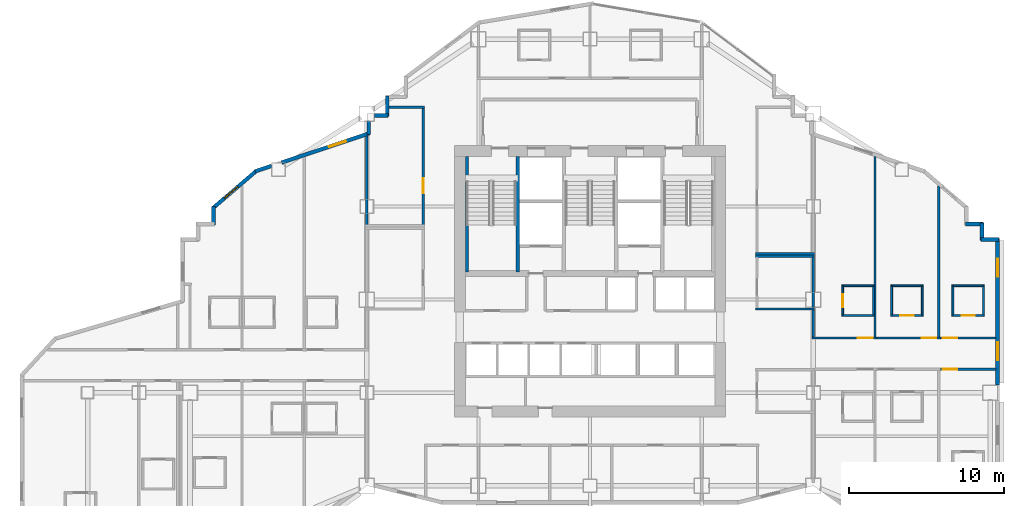
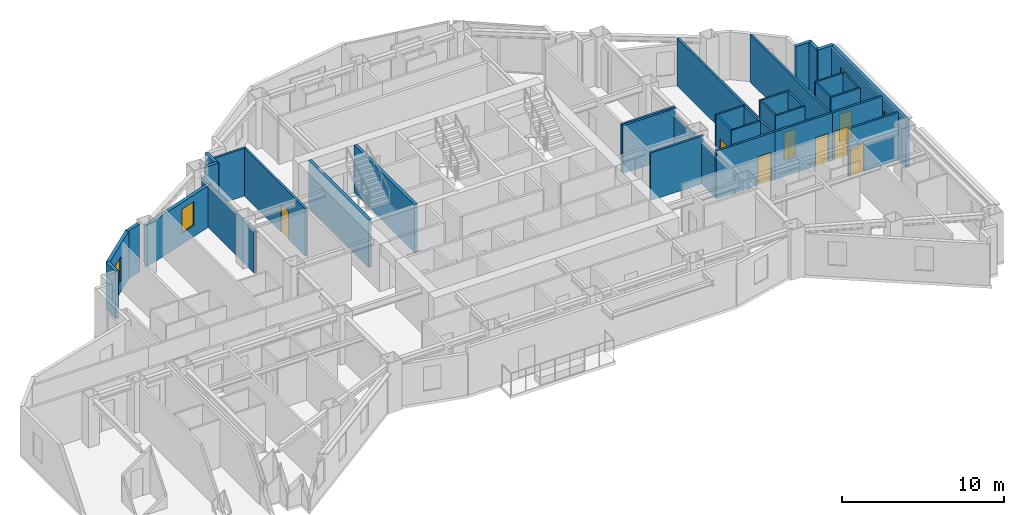
# One storey, part 10 of 16: 39 walls, 8 doors, 4 windows, 12 openings.
"""IFC4 building model written with IfcOpenShell, lengths in metres."""

from ifc_helpers import new_model, si_unit, direction, frame, frame_2d, origin, place, context, subcontext, project, spatial, rectangle, extrude, material, layer, layer_set, type_object, element, fill, save


model = new_model("IFC4")

# Units and contexts
model_context = context("Model", 3, precision=1e-05, world=origin(), true_north=direction((0.0, 1.0)))
body_context = subcontext(model_context, "Body", "Model", "MODEL_VIEW")
ifc_project = project(units=[si_unit("LENGTHUNIT", "METRE"), si_unit("AREAUNIT", "SQUARE_METRE"), si_unit("VOLUMEUNIT", "CUBIC_METRE"), si_unit("PLANEANGLEUNIT", "RADIAN"), si_unit("MASSUNIT", "GRAM", prefix="KILO")], contexts=[model_context])

# Site, building, storey
site_placement = place(None, origin())
site = spatial("IfcSite", under=ifc_project, at=site_placement, CompositionType="ELEMENT")
building_placement = place(site_placement, origin())
building = spatial("IfcBuilding", under=site, at=building_placement, Name="Haolan Belvedere Tower", CompositionType="ELEMENT")
storey_placement = place(building_placement, frame((0.0, 0.0, 125.0)))
storey = spatial("IfcBuildingStorey", under=building, at=storey_placement, Name="L31", CompositionType="ELEMENT", Elevation=125.0)

# Wall, openings, windows
ifc_material_1 = material(Name="Precast concrete C40/50", Category="concrete")
ifc_layer_1 = layer(ifc_material_1, 0.239990234375, Name="Precast concrete C40/50")
ifc_layer_set_1 = layer_set([ifc_layer_1], Name="Precast concrete C40/50")
wall_type_1 = type_object("IfcWallType", Name="WL-EXT-240", PredefinedType="SOLIDWALL", material=ifc_layer_set_1)
wall_1_placement = place(storey_placement, frame((64.679931640625, 28.092041015625, 0.0), z_axis=(0.0, 0.0, 1.0), x_axis=(0.0, 1.0, 0.0)))
wall_1 = element("IfcWall", 1, at=wall_1_placement, inside=storey, type_object=wall_type_1, Name="L31 pale-metal exterior spandrel wall 14.2", PredefinedType="SOLIDWALL", context=body_context, shape_type="SweptSolid", body=[
    extrude(rectangle(XDim=9.44287109375, YDim=0.239990234375, at=frame_2d((4.721435546875, 0.0))), origin(), (0.0, 0.0, 1.0), 3.60009765625),
])
opening_1_placement = place(wall_1_placement, frame((1.60009765625, 0.0, 0.85009765625)))
opening_1 = element("IfcOpeningElement", 2, at=opening_1_placement, cuts=wall_1, Name="Opening W-02", PredefinedType="OPENING", context=body_context, shape_type="SweptSolid", body=[
    extrude(rectangle(XDim=1.14990234375, YDim=1.800048828125, at=frame_2d((0.574951171875, 0.89990234375))), frame((0.0, 0.1298828125, 0.0), z_axis=(0.0, -1.0, 0.0), x_axis=(1.0, 0.0, 0.0)), (0.0, 0.0, 1.0), 0.260009765625),
])
opening_2_placement = place(wall_1_placement, frame((7.0, 0.0, 0.85009765625)))
opening_2 = element("IfcOpeningElement", 3, at=opening_2_placement, cuts=wall_1, Name="Opening W-02", PredefinedType="OPENING", context=body_context, shape_type="SweptSolid", body=[
    extrude(rectangle(XDim=1.14990234375, YDim=1.800048828125, at=frame_2d((0.574951171875, 0.89990234375))), frame((0.0, 0.1298828125, 0.0), z_axis=(0.0, -1.0, 0.0), x_axis=(1.0, 0.0, 0.0)), (0.0, 0.0, 1.0), 0.260009765625),
])
ifc_material_2 = material(Name="Anodised aluminium 6063-T6 and Low-E glass", Category="aluminium")
window_type = type_object("IfcWindowType", Name="WN-DECO-Z2", PartitioningType="SINGLE_PANEL", PredefinedType="WINDOW", material=ifc_material_2)
window_1_placement = place(opening_1_placement, origin())
window_1 = element("IfcWindow", 4, at=window_1_placement, inside=storey, type_object=window_type, Name="L31 Art Deco chevron window 1", OverallHeight=1.800048828125, OverallWidth=1.14990234375, PartitioningType="SINGLE_PANEL", PredefinedType="WINDOW", context=body_context, shape_type="SweptSolid", body=[
    extrude(rectangle(XDim=1.14990234375, YDim=1.800048828125, at=frame_2d((0.574951171875, 0.89990234375))), frame((0.0, 0.030029296875, 0.0), z_axis=(0.0, -1.0, 0.0), x_axis=(1.0, 0.0, 0.0)), (0.0, 0.0, 1.0), 0.06005859375),
])
fill(opening_1, window_1)
window_2_placement = place(opening_2_placement, origin())
window_2 = element("IfcWindow", 5, at=window_2_placement, inside=storey, type_object=window_type, Name="L31 Art Deco chevron window 2", OverallHeight=1.800048828125, OverallWidth=1.14990234375, PartitioningType="SINGLE_PANEL", PredefinedType="WINDOW", context=body_context, shape_type="SweptSolid", body=[
    extrude(rectangle(XDim=1.14990234375, YDim=1.800048828125, at=frame_2d((0.574951171875, 0.89990234375))), frame((0.0, 0.030029296875, 0.0), z_axis=(0.0, -1.0, 0.0), x_axis=(1.0, 0.0, 0.0)), (0.0, 0.0, 1.0), 0.06005859375),
])
fill(opening_2, window_2)

# Walls
wall_2_placement = place(storey_placement, frame((64.735107421875, 37.47998046875, 0.0), z_axis=(0.0, 0.0, 1.0), x_axis=(-1.0, 0.0, 0.0)))
element("IfcWall", 6, at=wall_2_placement, inside=storey, type_object=wall_type_1, Name="L31 pale-metal exterior spandrel wall 15.1", PredefinedType="SOLIDWALL", context=body_context, shape_type="SweptSolid", body=[
    extrude(rectangle(XDim=1.110107421875, YDim=0.239990234375, at=frame_2d((0.55517578125, 0.0))), origin(), (0.0, 0.0, 1.0), 3.60009765625),
])
wall_3_placement = place(storey_placement, frame((63.679931640625, 37.425048828125, 0.0), z_axis=(0.0, 0.0, 1.0), x_axis=(0.0, 1.0, 0.0)))
element("IfcWall", 7, at=wall_3_placement, inside=storey, type_object=wall_type_1, Name="L31 pale-metal exterior spandrel wall 16.1", PredefinedType="SOLIDWALL", context=body_context, shape_type="SweptSolid", body=[
    extrude(rectangle(XDim=1.10986328125, YDim=0.239990234375, at=frame_2d((0.554931640625, 0.0))), origin(), (0.0, 0.0, 1.0), 3.60009765625),
])
wall_4_placement = place(storey_placement, frame((63.735107421875, 38.47998046875, 0.0), z_axis=(0.0, 0.0, 1.0), x_axis=(-1.0, 0.0, 0.0)))
element("IfcWall", 8, at=wall_4_placement, inside=storey, type_object=wall_type_1, Name="L31 pale-metal exterior spandrel wall 17.1", PredefinedType="SOLIDWALL", context=body_context, shape_type="SweptSolid", body=[
    extrude(rectangle(XDim=1.110107421875, YDim=0.239990234375, at=frame_2d((0.55517578125, 0.0))), origin(), (0.0, 0.0, 1.0), 3.60009765625),
])
wall_5_placement = place(storey_placement, frame((25.320068359375, 46.735107421875, 0.0), z_axis=(0.0, 0.0, 1.0), x_axis=(0.0, -1.0, 0.0)))
element("IfcWall", 9, at=wall_5_placement, inside=storey, type_object=wall_type_1, Name="L31 pale-metal exterior spandrel wall 32.1", PredefinedType="SOLIDWALL", context=body_context, shape_type="SweptSolid", body=[
    extrude(rectangle(XDim=1.31005859375, YDim=0.239990234375, at=frame_2d((0.655029296875, 0.0))), origin(), (0.0, 0.0, 1.0), 3.60009765625),
])
wall_6_placement = place(storey_placement, frame((25.375, 45.47998046875, 0.0), z_axis=(0.0, 0.0, 1.0), x_axis=(-1.0, 0.0, 0.0)))
element("IfcWall", 10, at=wall_6_placement, inside=storey, type_object=wall_type_1, Name="L31 pale-metal exterior spandrel wall 33.1", PredefinedType="SOLIDWALL", context=body_context, shape_type="SweptSolid", body=[
    extrude(rectangle(XDim=0.883056640625, YDim=0.239990234375, at=frame_2d((0.44140625, 0.0))), origin(), (0.0, 0.0, 1.0), 3.60009765625),
])
wall_7_placement = place(storey_placement, frame((24.1201171875, 45.10791015625, 0.0), z_axis=(0.0, 0.0, 1.0), x_axis=(0.0, -1.0, 0.0)))
element("IfcWall", 11, at=wall_7_placement, inside=storey, type_object=wall_type_1, Name="L31 pale-metal exterior spandrel wall 34.1", PredefinedType="SOLIDWALL", context=body_context, shape_type="SweptSolid", body=[
    extrude(rectangle(XDim=0.849365234375, YDim=0.239990234375, at=frame_2d((0.4248046875, 0.0))), origin(), (0.0, 0.0, 1.0), 3.14501953125),
])

# Wall, opening, window
wall_8_placement = place(storey_placement, frame((24.172119140625, 44.330810546875, 0.0), z_axis=(0.0, 0.0, 1.0), x_axis=(-0.948683298051, -0.316227766017, 0.0)))
wall_8 = element("IfcWall", 12, at=wall_8_placement, inside=storey, type_object=wall_type_1, Name="L31 pale-metal exterior spandrel wall 35.1", PredefinedType="SOLIDWALL", context=body_context, shape_type="SweptSolid", body=[
    extrude(rectangle(XDim=5.973388671875, YDim=0.239990234375, at=frame_2d((2.98681640625, 0.0))), origin(), (0.0, 0.0, 1.0), 3.14501953125),
])
opening_3_placement = place(wall_8_placement, frame((1.60009765625, 0.0, 0.85009765625)))
opening_3 = element("IfcOpeningElement", 13, at=opening_3_placement, cuts=wall_8, Name="Opening W-02", PredefinedType="OPENING", context=body_context, shape_type="SweptSolid", body=[
    extrude(rectangle(XDim=1.14990234375, YDim=1.800048828125, at=frame_2d((0.574951171875, 0.89990234375))), frame((0.0, 0.1298828125, 0.0), z_axis=(0.0, -1.0, 0.0), x_axis=(1.0, 0.0, 0.0)), (0.0, 0.0, 1.0), 0.260009765625),
])
window_3_placement = place(opening_3_placement, origin())
window_3 = element("IfcWindow", 14, at=window_3_placement, inside=storey, type_object=window_type, Name="L31 Art Deco chevron window 1", OverallHeight=1.800048828125, OverallWidth=1.14990234375, PartitioningType="SINGLE_PANEL", PredefinedType="WINDOW", context=body_context, shape_type="SweptSolid", body=[
    extrude(rectangle(XDim=1.14990234375, YDim=1.800048828125, at=frame_2d((0.574951171875, 0.89990234375))), frame((0.0, 0.030029296875, 0.0), z_axis=(0.0, -1.0, 0.0), x_axis=(1.0, 0.0, 0.0)), (0.0, 0.0, 1.0), 0.06005859375),
])
fill(opening_3, window_3)

# Wall
wall_9_placement = place(storey_placement, frame((17.85791015625, 42.226318359375, 0.0), z_axis=(0.0, 0.0, 1.0), x_axis=(-0.948639166064, -0.316360131194, 0.0)))
element("IfcWall", 15, at=wall_9_placement, inside=storey, type_object=wall_type_1, Name="L31 pale-metal exterior spandrel wall 35.2", PredefinedType="SOLIDWALL", context=body_context, shape_type="SweptSolid", body=[
    extrude(rectangle(XDim=1.106689453125, YDim=0.239990234375, at=frame_2d((0.55322265625, 0.0))), origin(), (0.0, 0.0, 1.0), 3.60009765625),
])

# Wall, opening, window
wall_10_placement = place(storey_placement, frame((16.902099609375, 41.929443359375, 0.0), z_axis=(0.0, 0.0, 1.0), x_axis=(-0.759275136126, -0.650769750112, 0.0)))
wall_10 = element("IfcWall", 16, at=wall_10_placement, inside=storey, type_object=wall_type_1, Name="L31 pale-metal exterior spandrel wall 36.1", PredefinedType="SOLIDWALL", context=body_context, shape_type="SweptSolid", body=[
    extrude(rectangle(XDim=3.71923828125, YDim=0.239990234375, at=frame_2d((1.859619140625, 0.0))), origin(), (0.0, 0.0, 1.0), 3.60009765625),
])
opening_4_placement = place(wall_10_placement, frame((1.60009765625, 0.0, 0.85009765625)))
opening_4 = element("IfcOpeningElement", 17, at=opening_4_placement, cuts=wall_10, Name="Opening W-02", PredefinedType="OPENING", context=body_context, shape_type="SweptSolid", body=[
    extrude(rectangle(XDim=1.14990234375, YDim=1.800048828125, at=frame_2d((0.574951171875, 0.89990234375))), frame((0.0, 0.1298828125, 0.0), z_axis=(0.0, -1.0, 0.0), x_axis=(1.0, 0.0, 0.0)), (0.0, 0.0, 1.0), 0.260009765625),
])
window_4_placement = place(opening_4_placement, origin())
window_4 = element("IfcWindow", 18, at=window_4_placement, inside=storey, type_object=window_type, Name="L31 Art Deco chevron window 1", OverallHeight=1.800048828125, OverallWidth=1.14990234375, PartitioningType="SINGLE_PANEL", PredefinedType="WINDOW", context=body_context, shape_type="SweptSolid", body=[
    extrude(rectangle(XDim=1.14990234375, YDim=1.800048828125, at=frame_2d((0.574951171875, 0.89990234375))), frame((0.0, 0.030029296875, 0.0), z_axis=(0.0, -1.0, 0.0), x_axis=(1.0, 0.0, 0.0)), (0.0, 0.0, 1.0), 0.06005859375),
])
fill(opening_4, window_4)

# Walls
wall_11_placement = place(storey_placement, frame((14.1201171875, 39.599853515625, 0.0), z_axis=(0.0, 0.0, 1.0), x_axis=(0.0, -1.0, 0.0)))
element("IfcWall", 19, at=wall_11_placement, inside=storey, type_object=wall_type_1, Name="L31 pale-metal exterior spandrel wall 37.1", PredefinedType="SOLIDWALL", context=body_context, shape_type="SweptSolid", body=[
    extrude(rectangle(XDim=1.1748046875, YDim=0.239990234375, at=frame_2d((0.58740234375, 0.0))), origin(), (0.0, 0.0, 1.0), 3.60009765625),
])
ifc_material_3 = material(Name="Double gypsum acoustic stud partition", Category="masonry")
ifc_layer_2 = layer(ifc_material_3, 0.14990234375, Name="Double gypsum acoustic stud partition")
ifc_layer_set_2 = layer_set([ifc_layer_2], Name="Double gypsum acoustic stud partition")
wall_type_2 = type_object("IfcWallType", Name="WL-PART-150", PredefinedType="PARTITIONING", material=ifc_layer_set_2)
wall_12_placement = place(storey_placement, frame((25.425048828125, 46.02001953125, 0.0), z_axis=(0.0, 0.0, 1.0), x_axis=(1.0, 0.0, 0.0)))
element("IfcWall", 20, at=wall_12_placement, inside=storey, type_object=wall_type_2, Name="L31 interior partition IW-L31-VLT-N", PredefinedType="PARTITIONING", context=body_context, shape_type="SweptSolid", body=[
    extrude(rectangle(XDim=2.294921875, YDim=0.14990234375, at=frame_2d((1.1474609375, 0.0))), origin(), (0.0, 0.0, 1.0), 3.60009765625),
])
wall_13_placement = place(storey_placement, frame((24.0, 38.419921875, 0.0), z_axis=(0.0, 0.0, 1.0), x_axis=(0.0, 1.0, 0.0)))
element("IfcWall", 21, at=wall_13_placement, inside=storey, type_object=wall_type_2, Name="L31 interior partition IW-L31-VLT-W", PredefinedType="PARTITIONING", context=body_context, shape_type="SweptSolid", body=[
    extrude(rectangle(XDim=5.742919921875, YDim=0.14990234375, at=frame_2d((2.87158203125, 0.0))), origin(), (0.0, 0.0, 1.0), 3.14501953125),
])

# Wall, opening, door
wall_14_placement = place(storey_placement, frame((27.639892578125, 38.419921875, 0.0), z_axis=(0.0, 0.0, 1.0), x_axis=(0.0, 1.0, 0.0)))
wall_14 = element("IfcWall", 22, at=wall_14_placement, inside=storey, type_object=wall_type_2, Name="L31 interior partition IW-L31-VLT-E", PredefinedType="PARTITIONING", context=body_context, shape_type="SweptSolid", body=[
    extrude(rectangle(XDim=7.5400390625, YDim=0.14990234375, at=frame_2d((3.77001953125, 0.0))), origin(), (0.0, 0.0, 1.0), 3.60009765625),
])
opening_5_placement = place(wall_14_placement, frame((3.010009765625, 0.0, 0.0), z_axis=(0.0, 0.0, 1.0), x_axis=(-1.0, 0.0, 0.0)))
opening_5 = element("IfcOpeningElement", 23, at=opening_5_placement, cuts=wall_14, Name="Opening ID-03", PredefinedType="OPENING", context=body_context, shape_type="SweptSolid", body=[
    extrude(rectangle(XDim=0.949951171875, YDim=2.1201171875, at=frame_2d((0.47509765625, 1.06005859375))), frame((0.0, 0.0849609375, 0.0), z_axis=(0.0, -1.0, 0.0), x_axis=(1.0, 0.0, 0.0)), (0.0, 0.0, 1.0), 0.169921875),
])
ifc_material_4 = material(Name="Painted solid-core timber", Category="wood")
door_type_1 = type_object("IfcDoorType", Name="DR-INT-950", OperationType="NOTDEFINED", PredefinedType="DOOR", material=ifc_material_4)
door_1_placement = place(opening_5_placement, origin())
door_1 = element("IfcDoor", 24, at=door_1_placement, inside=storey, type_object=door_type_1, Name="L31 door ID-L31-VLT", OperationType="SINGLE_SWING_RIGHT", OverallHeight=2.1201171875, OverallWidth=0.949951171875, PredefinedType="DOOR", context=body_context, shape_type="SweptSolid", body=[
    extrude(rectangle(XDim=0.949951171875, YDim=2.1201171875, at=frame_2d((0.47509765625, 1.06005859375))), frame((0.0, 0.02490234375, 0.0), z_axis=(0.0, -1.0, 0.0), x_axis=(1.0, 0.0, 0.0)), (0.0, 0.0, 1.0), 0.050048828125),
])
fill(opening_5, door_1)

# Walls
for number, where, z_axis, x_axis, name in (
    (25, (49.080078125, 36.39990234375, 0.0), (0.0, 0.0, 1.0), (1.0, 0.0, 0.0), "L31 interior partition IW-L31-AWC-N"),
    (26, (49.080078125, 33.0, 0.0), (0.0, 0.0, 1.0), (1.0, 0.0, 0.0), "L31 interior partition IW-L31-AWC-S"),
):
    element("IfcWall", number, at=place(storey_placement, frame(where, z_axis=z_axis, x_axis=x_axis)), inside=storey, type_object=wall_type_2, Name=name, PredefinedType="PARTITIONING", context=body_context, shape_type="SweptSolid", body=[
        extrude(rectangle(XDim=3.7998046875, YDim=0.14990234375, at=frame_2d((1.89990234375, 0.0))), origin(), (0.0, 0.0, 1.0), 3.60009765625),
    ])
wall_15_placement = place(storey_placement, frame((52.800048828125, 33.06005859375, 0.0), z_axis=(0.0, 0.0, 1.0), x_axis=(0.0, 1.0, 0.0)))
element("IfcWall", 27, at=wall_15_placement, inside=storey, type_object=wall_type_2, Name="L31 interior partition IW-L31-AWC-E", PredefinedType="PARTITIONING", context=body_context, shape_type="SweptSolid", body=[
    extrude(rectangle(XDim=3.280029296875, YDim=0.14990234375, at=frame_2d((1.64013671875, 0.0))), origin(), (0.0, 0.0, 1.0), 3.14501953125),
])
wall_16_placement = place(storey_placement, frame((49.080078125, 36.56005859375, 0.0), z_axis=(0.0, 0.0, 1.0), x_axis=(1.0, 0.0, 0.0)))
element("IfcWall", 28, at=wall_16_placement, inside=storey, type_object=wall_type_2, Name="L31 interior partition IW-L31-SAL-S", PredefinedType="PARTITIONING", context=body_context, shape_type="SweptSolid", body=[
    extrude(rectangle(XDim=3.7998046875, YDim=0.14990234375, at=frame_2d((1.89990234375, 0.0))), origin(), (0.0, 0.0, 1.0), 3.60009765625),
])

# Wall, opening, door
wall_17_placement = place(storey_placement, frame((52.699951171875, 31.1298828125, 0.0), z_axis=(0.0, 0.0, 1.0), x_axis=(1.0, 0.0, 0.0)))
wall_17 = element("IfcWall", 29, at=wall_17_placement, inside=storey, type_object=wall_type_2, Name="L31 interior partition IW-L31-T4N1-S", PredefinedType="PARTITIONING", context=body_context, shape_type="SweptSolid", body=[
    extrude(rectangle(XDim=4.179931640625, YDim=0.14990234375, at=frame_2d((2.08984375, 0.0))), origin(), (0.0, 0.0, 1.0), 3.60009765625),
])
opening_6_placement = place(wall_17_placement, frame((2.966064453125, 0.0, 0.0)))
opening_6 = element("IfcOpeningElement", 30, at=opening_6_placement, cuts=wall_17, Name="Opening ID-02", PredefinedType="OPENING", context=body_context, shape_type="SweptSolid", body=[
    extrude(rectangle(XDim=0.949951171875, YDim=2.14990234375, at=frame_2d((0.47509765625, 1.074951171875))), frame((0.0, 0.0849609375, 0.0), z_axis=(0.0, -1.0, 0.0), x_axis=(1.0, 0.0, 0.0)), (0.0, 0.0, 1.0), 0.169921875),
])
ifc_material_5 = material(Name="Acoustic oak veneer fire-rated timber", Category="wood")
door_type_2 = type_object("IfcDoorType", Name="DR-GUEST-950", OperationType="NOTDEFINED", PredefinedType="DOOR", material=ifc_material_5)
door_2_placement = place(opening_6_placement, origin())
door_2 = element("IfcDoor", 31, at=door_2_placement, inside=storey, type_object=door_type_2, Name="L31 door ID-L31-T4N1-ENT", OperationType="SINGLE_SWING_RIGHT", OverallHeight=2.14990234375, OverallWidth=0.949951171875, PredefinedType="DOOR", context=body_context, shape_type="SweptSolid", body=[
    extrude(rectangle(XDim=0.949951171875, YDim=2.14990234375, at=frame_2d((0.47509765625, 1.074951171875))), frame((0.0, 0.02490234375, 0.0), z_axis=(0.0, -1.0, 0.0), x_axis=(1.0, 0.0, 0.0)), (0.0, 0.0, 1.0), 0.050048828125),
])
fill(opening_6, door_2)

# Walls
wall_18_placement = place(storey_placement, frame((52.800048828125, 31.18994140625, 0.0), z_axis=(0.0, 0.0, 1.0), x_axis=(0.0, 1.0, 0.0)))
element("IfcWall", 32, at=wall_18_placement, inside=storey, type_object=wall_type_2, Name="L31 interior partition IW-L31-T4N1-W", PredefinedType="PARTITIONING", context=body_context, shape_type="SweptSolid", body=[
    extrude(rectangle(XDim=1.75, YDim=0.14990234375, at=frame_2d((0.875, 0.0))), origin(), (0.0, 0.0, 1.0), 3.14501953125),
])
wall_19_placement = place(storey_placement, frame((56.780029296875, 31.18994140625, 0.0), z_axis=(0.0, 0.0, 1.0), x_axis=(0.0, 1.0, 0.0)))
element("IfcWall", 33, at=wall_19_placement, inside=storey, type_object=wall_type_2, Name="L31 interior partition IW-L31-T4N1-E", PredefinedType="PARTITIONING", context=body_context, shape_type="SweptSolid", body=[
    extrude(rectangle(XDim=11.646240234375, YDim=0.14990234375, at=frame_2d((5.8232421875, 0.0))), origin(), (0.0, 0.0, 1.0), 3.60009765625),
])

# Wall, opening, door
wall_20_placement = place(storey_placement, frame((56.882080078125, 31.1298828125, 0.0), z_axis=(0.0, 0.0, 1.0), x_axis=(1.0, 0.0, 0.0)))
wall_20 = element("IfcWall", 34, at=wall_20_placement, inside=storey, type_object=wall_type_2, Name="L31 interior partition IW-L31-T4N2-S", PredefinedType="PARTITIONING", context=body_context, shape_type="SweptSolid", body=[
    extrude(rectangle(XDim=4.10791015625, YDim=0.14990234375, at=frame_2d((2.053955078125, 0.0))), origin(), (0.0, 0.0, 1.0), 3.60009765625),
])
opening_7_placement = place(wall_20_placement, frame((2.896484375, 0.0, 0.0)))
opening_7 = element("IfcOpeningElement", 35, at=opening_7_placement, cuts=wall_20, Name="Opening ID-02", PredefinedType="OPENING", context=body_context, shape_type="SweptSolid", body=[
    extrude(rectangle(XDim=0.949951171875, YDim=2.14990234375, at=frame_2d((0.47509765625, 1.074951171875))), frame((0.0, 0.0849609375, 0.0), z_axis=(0.0, -1.0, 0.0), x_axis=(1.0, 0.0, 0.0)), (0.0, 0.0, 1.0), 0.169921875),
])
door_3_placement = place(opening_7_placement, origin())
door_3 = element("IfcDoor", 36, at=door_3_placement, inside=storey, type_object=door_type_2, Name="L31 door ID-L31-T4N2-ENT", OperationType="SINGLE_SWING_LEFT", OverallHeight=2.14990234375, OverallWidth=0.949951171875, PredefinedType="DOOR", context=body_context, shape_type="SweptSolid", body=[
    extrude(rectangle(XDim=0.949951171875, YDim=2.14990234375, at=frame_2d((0.47509765625, 1.074951171875))), frame((0.0, 0.02490234375, 0.0), z_axis=(0.0, -1.0, 0.0), x_axis=(1.0, 0.0, 0.0)), (0.0, 0.0, 1.0), 0.050048828125),
])
fill(opening_7, door_3)

# Wall
wall_21_placement = place(storey_placement, frame((60.889892578125, 31.18994140625, 0.0), z_axis=(0.0, 0.0, 1.0), x_axis=(0.0, 1.0, 0.0)))
element("IfcWall", 37, at=wall_21_placement, inside=storey, type_object=wall_type_2, Name="L31 interior partition IW-L31-T4N2-E", PredefinedType="PARTITIONING", context=body_context, shape_type="SweptSolid", body=[
    extrude(rectangle(XDim=9.7509765625, YDim=0.14990234375, at=frame_2d((4.87548828125, 0.0))), origin(), (0.0, 0.0, 1.0), 3.60009765625),
])

# Wall, opening, door
wall_22_placement = place(storey_placement, frame((60.991943359375, 31.1298828125, 0.0), z_axis=(0.0, 0.0, 1.0), x_axis=(1.0, 0.0, 0.0)))
wall_22 = element("IfcWall", 38, at=wall_22_placement, inside=storey, type_object=wall_type_2, Name="L31 interior partition IW-L31-T4N3-S", PredefinedType="PARTITIONING", context=body_context, shape_type="SweptSolid", body=[
    extrude(rectangle(XDim=3.5830078125, YDim=0.14990234375, at=frame_2d((1.79150390625, 0.0))), origin(), (0.0, 0.0, 1.0), 3.60009765625),
])
opening_8_placement = place(wall_22_placement, frame((0.139892578125, 0.0, 0.0)))
opening_8 = element("IfcOpeningElement", 39, at=opening_8_placement, cuts=wall_22, Name="Opening ID-02", PredefinedType="OPENING", context=body_context, shape_type="SweptSolid", body=[
    extrude(rectangle(XDim=0.949951171875, YDim=2.14990234375, at=frame_2d((0.47509765625, 1.074951171875))), frame((0.0, 0.0849609375, 0.0), z_axis=(0.0, -1.0, 0.0), x_axis=(1.0, 0.0, 0.0)), (0.0, 0.0, 1.0), 0.169921875),
])
door_4_placement = place(opening_8_placement, origin())
door_4 = element("IfcDoor", 40, at=door_4_placement, inside=storey, type_object=door_type_2, Name="L31 door ID-L31-T4N3-ENT", OperationType="SINGLE_SWING_RIGHT", OverallHeight=2.14990234375, OverallWidth=0.949951171875, PredefinedType="DOOR", context=body_context, shape_type="SweptSolid", body=[
    extrude(rectangle(XDim=0.949951171875, YDim=2.14990234375, at=frame_2d((0.47509765625, 1.074951171875))), frame((0.0, 0.02490234375, 0.0), z_axis=(0.0, -1.0, 0.0), x_axis=(1.0, 0.0, 0.0)), (0.0, 0.0, 1.0), 0.050048828125),
])
fill(opening_8, door_4)

wall_23_placement = place(storey_placement, frame((60.991943359375, 29.1201171875, 0.0), z_axis=(0.0, 0.0, 1.0), x_axis=(1.0, 0.0, 0.0)))
wall_23 = element("IfcWall", 41, at=wall_23_placement, inside=storey, type_object=wall_type_2, Name="L31 interior partition IW-L31-T4S3-N", PredefinedType="PARTITIONING", context=body_context, shape_type="SweptSolid", body=[
    extrude(rectangle(XDim=3.5830078125, YDim=0.14990234375, at=frame_2d((1.79150390625, 0.0))), origin(), (0.0, 0.0, 1.0), 3.60009765625),
])
opening_9_placement = place(wall_23_placement, frame((1.08984375, 0.0, 0.0), z_axis=(0.0, 0.0, 1.0), x_axis=(-1.0, 0.0, 0.0)))
opening_9 = element("IfcOpeningElement", 42, at=opening_9_placement, cuts=wall_23, Name="Opening ID-02", PredefinedType="OPENING", context=body_context, shape_type="SweptSolid", body=[
    extrude(rectangle(XDim=0.949951171875, YDim=2.14990234375, at=frame_2d((0.47509765625, 1.074951171875))), frame((0.0, 0.0849609375, 0.0), z_axis=(0.0, -1.0, 0.0), x_axis=(1.0, 0.0, 0.0)), (0.0, 0.0, 1.0), 0.169921875),
])
door_5_placement = place(opening_9_placement, origin())
door_5 = element("IfcDoor", 43, at=door_5_placement, inside=storey, type_object=door_type_2, Name="L31 door ID-L31-T4S3-ENT", OperationType="SINGLE_SWING_LEFT", OverallHeight=2.14990234375, OverallWidth=0.949951171875, PredefinedType="DOOR", context=body_context, shape_type="SweptSolid", body=[
    extrude(rectangle(XDim=0.949951171875, YDim=2.14990234375, at=frame_2d((0.47509765625, 1.074951171875))), frame((0.0, 0.02490234375, 0.0), z_axis=(0.0, -1.0, 0.0), x_axis=(1.0, 0.0, 0.0)), (0.0, 0.0, 1.0), 0.050048828125),
])
fill(opening_9, door_5)

# Walls
ifc_material_6 = material(Name="Concrete C50/60", Category="concrete")
ifc_layer_3 = layer(ifc_material_6, 0.219970703125, Name="Concrete C50/60")
ifc_layer_set_3 = layer_set([ifc_layer_3], Name="Concrete C50/60")
wall_type_3 = type_object("IfcWallType", Name="WL-STAIR-220", PredefinedType="SHEAR", material=ifc_layer_set_3)
for number, where, z_axis, x_axis, name in (
    (44, (30.4619140625, 35.389892578125, 0.0), (0.0, 0.0, 1.0), (0.0, 1.0, 0.0), "L31 structural stair core wall ST1W"),
    (45, (33.739990234375, 35.389892578125, 0.0), (0.0, 0.0, 1.0), (0.0, 1.0, 0.0), "L31 structural stair core wall ST1E"),
):
    element("IfcWall", number, at=place(storey_placement, frame(where, z_axis=z_axis, x_axis=x_axis)), inside=storey, type_object=wall_type_3, Name=name, PredefinedType="SHEAR", context=body_context, shape_type="SweptSolid", body=[
        extrude(rectangle(XDim=7.460205078125, YDim=0.219970703125, at=frame_2d((3.72998046875, 0.0))), origin(), (0.0, 0.0, 1.0), 3.60009765625),
    ])
ifc_material_7 = material(Name="Moisture-resistant gypsum tile partition", Category="masonry")
ifc_layer_4 = layer(ifc_material_7, 0.1201171875, Name="Moisture-resistant gypsum tile partition")
ifc_layer_set_4 = layer_set([ifc_layer_4], Name="Moisture-resistant gypsum tile partition")
wall_type_4 = type_object("IfcWallType", Name="WL-WET-120", PredefinedType="PARTITIONING", material=ifc_layer_set_4)
for number, where, z_axis, x_axis, name in (
    (46, (54.639892578125, 34.5, 0.0), (0.0, 0.0, 1.0), (1.0, 0.0, 0.0), "L31 interior partition IW-L31-T4N1-BN"),
    (47, (54.639892578125, 32.580078125, 0.0), (0.0, 0.0, 1.0), (1.0, 0.0, 0.0), "L31 interior partition IW-L31-T4N1-BS"),
):
    element("IfcWall", number, at=place(storey_placement, frame(where, z_axis=z_axis, x_axis=x_axis)), inside=storey, type_object=wall_type_4, Name=name, PredefinedType="PARTITIONING", context=body_context, shape_type="SweptSolid", body=[
        extrude(rectangle(XDim=2.080078125, YDim=0.1201171875, at=frame_2d((1.0400390625, 0.0))), origin(), (0.0, 0.0, 1.0), 3.60009765625),
    ])

# Wall, opening, door
wall_24_placement = place(storey_placement, frame((54.699951171875, 32.625, 0.0), z_axis=(0.0, 0.0, 1.0), x_axis=(0.0, 1.0, 0.0)))
wall_24 = element("IfcWall", 48, at=wall_24_placement, inside=storey, type_object=wall_type_4, Name="L31 interior partition IW-L31-T4N1-BW", PredefinedType="PARTITIONING", context=body_context, shape_type="SweptSolid", body=[
    extrude(rectangle(XDim=1.830078125, YDim=0.1201171875, at=frame_2d((0.9150390625, 0.0))), origin(), (0.0, 0.0, 1.0), 3.60009765625),
])
opening_10_placement = place(wall_24_placement, frame((1.340087890625, 0.0, 0.0), z_axis=(0.0, 0.0, 1.0), x_axis=(-1.0, 0.0, 0.0)))
opening_10 = element("IfcOpeningElement", 49, at=opening_10_placement, cuts=wall_24, Name="Opening ID-05", PredefinedType="OPENING", context=body_context, shape_type="SweptSolid", body=[
    extrude(rectangle(XDim=0.85009765625, YDim=2.10009765625, at=frame_2d((0.425048828125, 1.050048828125))), frame((0.0, 0.070068359375, 0.0), z_axis=(0.0, -1.0, 0.0), x_axis=(1.0, 0.0, 0.0)), (0.0, 0.0, 1.0), 0.14013671875),
])
ifc_material_8 = material(Name="Moisture-resistant lacquered timber", Category="wood")
door_type_3 = type_object("IfcDoorType", Name="DR-BATH-850", OperationType="NOTDEFINED", PredefinedType="DOOR", material=ifc_material_8)
door_6_placement = place(opening_10_placement, origin())
door_6 = element("IfcDoor", 50, at=door_6_placement, inside=storey, type_object=door_type_3, Name="L31 door ID-L31-T4N1-BATH", OperationType="SINGLE_SWING_LEFT", OverallHeight=2.10009765625, OverallWidth=0.85009765625, PredefinedType="DOOR", context=body_context, shape_type="SweptSolid", body=[
    extrude(rectangle(XDim=0.85009765625, YDim=2.10009765625, at=frame_2d((0.425048828125, 1.050048828125))), frame((0.0, 0.02490234375, 0.0), z_axis=(0.0, -1.0, 0.0), x_axis=(1.0, 0.0, 0.0)), (0.0, 0.0, 1.0), 0.050048828125),
])
fill(opening_10, door_6)

# Walls
wall_25_placement = place(storey_placement, frame((56.679931640625, 32.625, 0.0), z_axis=(0.0, 0.0, 1.0), x_axis=(0.0, 1.0, 0.0)))
element("IfcWall", 51, at=wall_25_placement, inside=storey, type_object=wall_type_4, Name="L31 interior partition IW-L31-T4N1-BE", PredefinedType="PARTITIONING", context=body_context, shape_type="SweptSolid", body=[
    extrude(rectangle(XDim=1.830078125, YDim=0.1201171875, at=frame_2d((0.9150390625, 0.0))), origin(), (0.0, 0.0, 1.0), 3.60009765625),
])
wall_26_placement = place(storey_placement, frame((57.784912109375, 34.5, 0.0), z_axis=(0.0, 0.0, 1.0), x_axis=(1.0, 0.0, 0.0)))
element("IfcWall", 52, at=wall_26_placement, inside=storey, type_object=wall_type_4, Name="L31 interior partition IW-L31-T4N2-BN", PredefinedType="PARTITIONING", context=body_context, shape_type="SweptSolid", body=[
    extrude(rectangle(XDim=2.10009765625, YDim=0.1201171875, at=frame_2d((1.050048828125, 0.0))), origin(), (0.0, 0.0, 1.0), 3.60009765625),
])

# Wall, opening, door
wall_27_placement = place(storey_placement, frame((57.784912109375, 32.580078125, 0.0), z_axis=(0.0, 0.0, 1.0), x_axis=(1.0, 0.0, 0.0)))
wall_27 = element("IfcWall", 53, at=wall_27_placement, inside=storey, type_object=wall_type_4, Name="L31 interior partition IW-L31-T4N2-BS", PredefinedType="PARTITIONING", context=body_context, shape_type="SweptSolid", body=[
    extrude(rectangle(XDim=2.10009765625, YDim=0.1201171875, at=frame_2d((1.050048828125, 0.0))), origin(), (0.0, 0.0, 1.0), 3.60009765625),
])
opening_11_placement = place(wall_27_placement, frame((0.625, 0.0, 0.0)))
opening_11 = element("IfcOpeningElement", 54, at=opening_11_placement, cuts=wall_27, Name="Opening ID-05", PredefinedType="OPENING", context=body_context, shape_type="SweptSolid", body=[
    extrude(rectangle(XDim=0.85009765625, YDim=2.10009765625, at=frame_2d((0.425048828125, 1.050048828125))), frame((0.0, 0.070068359375, 0.0), z_axis=(0.0, -1.0, 0.0), x_axis=(1.0, 0.0, 0.0)), (0.0, 0.0, 1.0), 0.14013671875),
])
door_7_placement = place(opening_11_placement, origin())
door_7 = element("IfcDoor", 55, at=door_7_placement, inside=storey, type_object=door_type_3, Name="L31 door ID-L31-T4N2-BATH", OperationType="SINGLE_SWING_RIGHT", OverallHeight=2.10009765625, OverallWidth=0.85009765625, PredefinedType="DOOR", context=body_context, shape_type="SweptSolid", body=[
    extrude(rectangle(XDim=0.85009765625, YDim=2.10009765625, at=frame_2d((0.425048828125, 1.050048828125))), frame((0.0, 0.02490234375, 0.0), z_axis=(0.0, -1.0, 0.0), x_axis=(1.0, 0.0, 0.0)), (0.0, 0.0, 1.0), 0.050048828125),
])
fill(opening_11, door_7)

# Walls
for number, where, z_axis, x_axis, name in (
    (56, (57.844970703125, 32.625, 0.0), (0.0, 0.0, 1.0), (0.0, 1.0, 0.0), "L31 interior partition IW-L31-T4N2-BW"),
    (57, (59.824951171875, 32.625, 0.0), (0.0, 0.0, 1.0), (0.0, 1.0, 0.0), "L31 interior partition IW-L31-T4N2-BE"),
):
    element("IfcWall", number, at=place(storey_placement, frame(where, z_axis=z_axis, x_axis=x_axis)), inside=storey, type_object=wall_type_4, Name=name, PredefinedType="PARTITIONING", context=body_context, shape_type="SweptSolid", body=[
        extrude(rectangle(XDim=1.830078125, YDim=0.1201171875, at=frame_2d((0.9150390625, 0.0))), origin(), (0.0, 0.0, 1.0), 3.60009765625),
    ])
wall_28_placement = place(storey_placement, frame((61.737060546875, 34.5, 0.0), z_axis=(0.0, 0.0, 1.0), x_axis=(1.0, 0.0, 0.0)))
element("IfcWall", 58, at=wall_28_placement, inside=storey, type_object=wall_type_4, Name="L31 interior partition IW-L31-T4N3-BN", PredefinedType="PARTITIONING", context=body_context, shape_type="SweptSolid", body=[
    extrude(rectangle(XDim=2.099853515625, YDim=0.1201171875, at=frame_2d((1.0498046875, 0.0))), origin(), (0.0, 0.0, 1.0), 3.60009765625),
])

# Wall, opening, door
wall_29_placement = place(storey_placement, frame((61.737060546875, 32.580078125, 0.0), z_axis=(0.0, 0.0, 1.0), x_axis=(1.0, 0.0, 0.0)))
wall_29 = element("IfcWall", 59, at=wall_29_placement, inside=storey, type_object=wall_type_4, Name="L31 interior partition IW-L31-T4N3-BS", PredefinedType="PARTITIONING", context=body_context, shape_type="SweptSolid", body=[
    extrude(rectangle(XDim=2.099853515625, YDim=0.1201171875, at=frame_2d((1.0498046875, 0.0))), origin(), (0.0, 0.0, 1.0), 3.60009765625),
])
opening_12_placement = place(wall_29_placement, frame((0.625, 0.0, 0.0)))
opening_12 = element("IfcOpeningElement", 60, at=opening_12_placement, cuts=wall_29, Name="Opening ID-05", PredefinedType="OPENING", context=body_context, shape_type="SweptSolid", body=[
    extrude(rectangle(XDim=0.85009765625, YDim=2.10009765625, at=frame_2d((0.425048828125, 1.050048828125))), frame((0.0, 0.070068359375, 0.0), z_axis=(0.0, -1.0, 0.0), x_axis=(1.0, 0.0, 0.0)), (0.0, 0.0, 1.0), 0.14013671875),
])
door_8_placement = place(opening_12_placement, origin())
door_8 = element("IfcDoor", 61, at=door_8_placement, inside=storey, type_object=door_type_3, Name="L31 door ID-L31-T4N3-BATH", OperationType="SINGLE_SWING_LEFT", OverallHeight=2.10009765625, OverallWidth=0.85009765625, PredefinedType="DOOR", context=body_context, shape_type="SweptSolid", body=[
    extrude(rectangle(XDim=0.85009765625, YDim=2.10009765625, at=frame_2d((0.425048828125, 1.050048828125))), frame((0.0, 0.02490234375, 0.0), z_axis=(0.0, -1.0, 0.0), x_axis=(1.0, 0.0, 0.0)), (0.0, 0.0, 1.0), 0.050048828125),
])
fill(opening_12, door_8)

# Walls
for number, where, z_axis, x_axis, name in (
    (62, (61.797119140625, 32.625, 0.0), (0.0, 0.0, 1.0), (0.0, 1.0, 0.0), "L31 interior partition IW-L31-T4N3-BW"),
    (63, (63.777099609375, 32.625, 0.0), (0.0, 0.0, 1.0), (0.0, 1.0, 0.0), "L31 interior partition IW-L31-T4N3-BE"),
):
    element("IfcWall", number, at=place(storey_placement, frame(where, z_axis=z_axis, x_axis=x_axis)), inside=storey, type_object=wall_type_4, Name=name, PredefinedType="PARTITIONING", context=body_context, shape_type="SweptSolid", body=[
        extrude(rectangle(XDim=1.830078125, YDim=0.1201171875, at=frame_2d((0.9150390625, 0.0))), origin(), (0.0, 0.0, 1.0), 3.60009765625),
    ])

save(model, "model.ifc")
